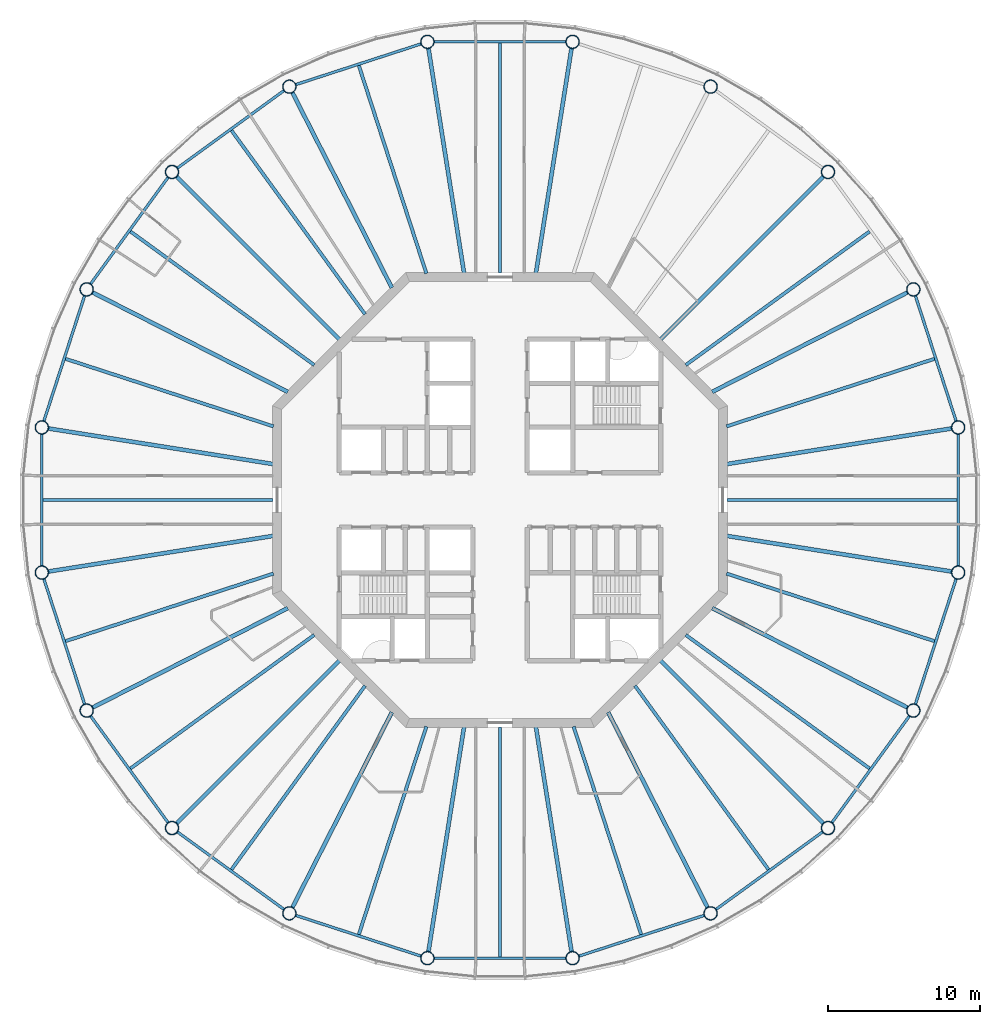
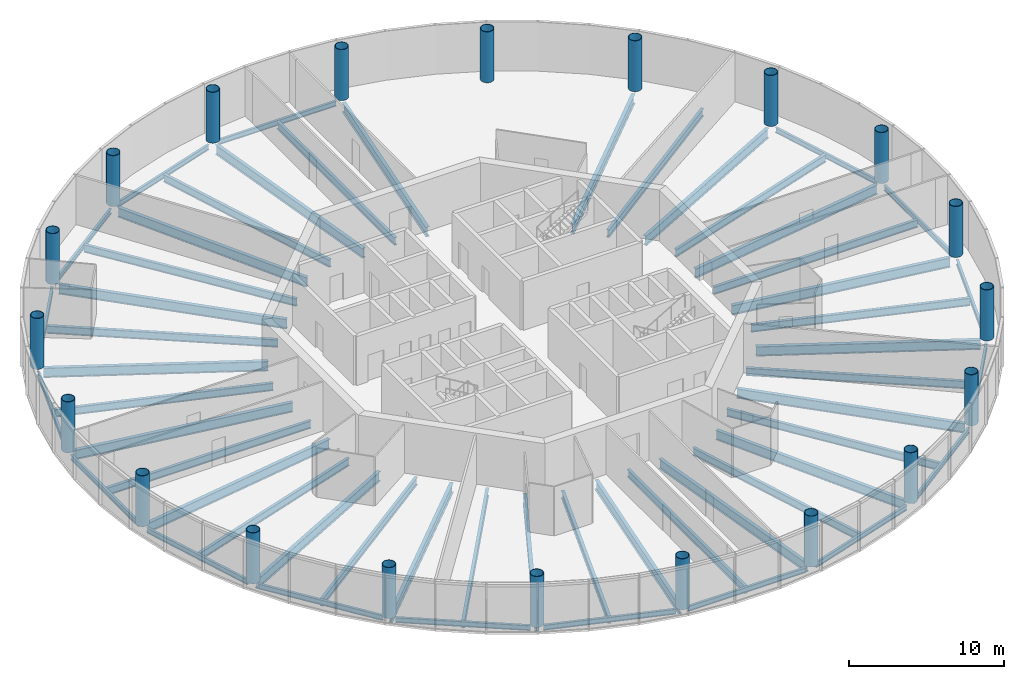
# One storey, part 1 of 13: 54 beams, 20 columns.
"""IFC4 building model written with IfcOpenShell, lengths in metres."""

import ifcopenshell
import ifcopenshell.guid

model = None  # the IFC model being written
_history = None  # IfcOwnerHistory: only IFC2X3 demands one
_inside = {}  # id of a spatial element -> (the spatial element, [elements in it])
_under = {}  # id of a project, library or spatial element -> (it, [spatial elements below it])
_declared = {}  # id of a project -> (the project, [libraries it declares])
_typed = {}  # id of a type object -> (the type object, [elements of that type])
_made_of = {}  # id of a material, layer set ... -> (it, [elements and type objects made of it])


def new_model(schema):
    """Start an empty IFC model of exactly this schema.

    Asked for "IFC4X3", IfcOpenShell would pick the latest addendum, in which some entities
    have other attributes; the version numbers below select the first issue.
    IFC2X3 requires an IfcOwnerHistory on every rooted entity: one is made here for all.
    """
    global model, _history
    if schema == "IFC4X3":
        model = ifcopenshell.file(schema_version=(4, 3, 0, 0))
    else:
        model = ifcopenshell.file(schema=schema)
    _inside.clear()
    _under.clear()
    _declared.clear()
    _typed.clear()
    _made_of.clear()
    _history = None
    if model.schema == "IFC2X3":
        org = make("IfcOrganization", Name="unknown")
        user = make(
            "IfcPersonAndOrganization",
            ThePerson=make("IfcPerson", FamilyName="unknown"),
            TheOrganization=org,
        )
        app = make(
            "IfcApplication",
            ApplicationDeveloper=org,
            Version="unknown",
            ApplicationFullName="unknown",
            ApplicationIdentifier="unknown",
        )
        _history = make(
            "IfcOwnerHistory",
            OwningUser=user,
            OwningApplication=app,
            ChangeAction="ADDED",
            CreationDate=0,
        )
    return model


def make(cls, **values):
    """One entity of the class cls with the attributes given. An attribute that is None is left unset."""
    return model.create_entity(
        cls, **{name: value for name, value in values.items() if value is not None}
    )


def rooted(cls, **values):
    """An entity with a GlobalId (a new one), such as an element, a storey or a relation."""
    return make(cls, GlobalId=ifcopenshell.guid.new(), OwnerHistory=_history, **values)


def si_unit(unit_type, name, prefix=None):
    """IfcSIUnit, for example si_unit("LENGTHUNIT", "METRE", prefix="MILLI")."""
    return make("IfcSIUnit", UnitType=unit_type, Prefix=prefix, Name=name)


def assignment(units):
    """IfcUnitAssignment: the units of a project."""
    return None if units is None else make("IfcUnitAssignment", Units=units)


def point(xyz):
    """IfcCartesianPoint."""
    return None if xyz is None else make("IfcCartesianPoint", Coordinates=xyz)


def direction(xyz):
    """IfcDirection."""
    return None if xyz is None else make("IfcDirection", DirectionRatios=xyz)


def frame(location, z_axis=None, x_axis=None):
    """IfcAxis2Placement3D, a coordinate frame: its origin and axes. An axis left out is left unset."""
    return make(
        "IfcAxis2Placement3D",
        Location=point(location),
        Axis=direction(z_axis),
        RefDirection=direction(x_axis),
    )


def frame_2d(location, x_axis=None):
    """IfcAxis2Placement2D, a coordinate frame in the plane: its origin and x axis."""
    return make(
        "IfcAxis2Placement2D", Location=point(location), RefDirection=direction(x_axis)
    )


def origin():
    """The frame at (0, 0, 0) with its axes left unset."""
    return frame((0.0, 0.0, 0.0))


def origin_2d():
    """The frame at (0, 0) in the plane with its x axis left unset."""
    return frame_2d((0.0, 0.0))


def place(relative_to, where):
    """IfcLocalPlacement: puts the frame where relative to a parent placement (None: the world)."""
    return make(
        "IfcLocalPlacement", PlacementRelTo=relative_to, RelativePlacement=where
    )


def context(
    kind, dimensions, precision=None, world=None, true_north=None, identifier=None
):
    """IfcGeometricRepresentationContext, for example the 3D "Model" context."""
    return make(
        "IfcGeometricRepresentationContext",
        ContextIdentifier=identifier,
        ContextType=kind,
        CoordinateSpaceDimension=dimensions,
        Precision=precision,
        WorldCoordinateSystem=world,
        TrueNorth=true_north,
    )


def subcontext(parent, identifier, kind, view, scale=None):
    """IfcGeometricRepresentationSubContext, for example "Body" below "Model"."""
    return make(
        "IfcGeometricRepresentationSubContext",
        ContextIdentifier=identifier,
        ContextType=kind,
        ParentContext=parent,
        TargetScale=scale,
        TargetView=view,
    )


def project(units=None, contexts=None):
    """IfcProject with its units and contexts."""
    return rooted(
        "IfcProject",
        Name="project",
        RepresentationContexts=contexts,
        UnitsInContext=assignment(units),
    )


def spatial(cls, under=None, at=None, **own):
    """A site, building, storey or space (cls), placed at a placement, below another one or the project."""
    s = rooted(cls, ObjectPlacement=at, **own)
    if under is not None:
        _under.setdefault(under.id(), (under, []))[1].append(s)
    return s


def profile(cls, at=None, kind="AREA", **sizes):
    """A parametric profile (cls). Its sizes go by their IFC names, for example OverallWidth=200.0."""
    return make(cls, ProfileType=kind, Position=at, **sizes)


def circle(**sizes):
    """IfcCircleProfileDef."""
    return profile("IfcCircleProfileDef", **sizes)


def hollow_circle(**sizes):
    """IfcCircleHollowProfileDef."""
    return profile("IfcCircleHollowProfileDef", **sizes)


def i_section(**sizes):
    """IfcIShapeProfileDef."""
    return profile("IfcIShapeProfileDef", **sizes)


def extrude(swept, where, along, depth):
    """IfcExtrudedAreaSolid: the profile swept, set in the frame where, extruded along a direction by depth."""
    return make(
        "IfcExtrudedAreaSolid",
        SweptArea=swept,
        Position=where,
        ExtrudedDirection=direction(along),
        Depth=depth,
    )


def shape(context_of_items, identifier, shape_type, items):
    """IfcShapeRepresentation: the items that make up one representation, for example the "Body"."""
    return make(
        "IfcShapeRepresentation",
        ContextOfItems=context_of_items,
        RepresentationIdentifier=identifier,
        RepresentationType=shape_type,
        Items=items,
    )


def material(Name=None, Category=None):
    """IfcMaterial."""
    return make("IfcMaterial", Name=Name, Category=Category)


def material_profile(
    of_material, cross_section, Name=None, Category=None, Priority=None
):
    """IfcMaterialProfile: a cross section and its material."""
    return make(
        "IfcMaterialProfile",
        Name=Name,
        Material=of_material,
        Profile=cross_section,
        Priority=Priority,
        Category=Category,
    )


def profile_set(profiles, Name=None, composite=None):
    """IfcMaterialProfileSet."""
    return make(
        "IfcMaterialProfileSet",
        Name=Name,
        MaterialProfiles=profiles,
        CompositeProfile=composite,
    )


def made_of(thing, what):
    """Note that an element or type object is made of a material, layer set ...; save() writes the relation."""
    if what is not None:
        _made_of.setdefault(what.id(), (what, []))[1].append(thing)
    return thing


def type_object(cls, material=None, **own):
    """A type object (cls), such as IfcWallType, which elements share."""
    return made_of(rooted(cls, **own), material)


def element(
    cls,
    number,
    at=None,
    inside=None,
    cuts=None,
    type_object=None,
    material=None,
    context=None,
    identifier="Body",
    shape_type=None,
    held_by="IfcProductDefinitionShape",
    body=None,
    shapes=None,
    **own,
):
    """One element of the class cls, such as IfcWall. Its Tag is "e" and its number.

    at: its placement. inside: the storey or other place that contains it. cuts: it is an
    opening in that element (IfcRelVoidsElement). A single representation is given by context,
    identifier, shape_type and body (its items); several are given by shapes. held_by: the class
    of the entity that holds the representations. save() writes the other relations.
    """
    e = rooted(cls, Tag="e%d" % number, ObjectPlacement=at, **own)
    if body is not None:
        shapes = [shape(context, identifier, shape_type, body)]
    if shapes is not None:
        e.Representation = make(held_by, Representations=shapes)
    if inside is not None:
        _inside.setdefault(inside.id(), (inside, []))[1].append(e)
    if cuts is not None:
        rooted(
            "IfcRelVoidsElement", RelatingBuildingElement=cuts, RelatedOpeningElement=e
        )
    if type_object is not None:
        _typed.setdefault(type_object.id(), (type_object, []))[1].append(e)
    return made_of(e, material)


def aggregate(whole, parts):
    """IfcRelAggregates: a whole, such as a stair, and the parts it consists of."""
    return rooted("IfcRelAggregates", RelatingObject=whole, RelatedObjects=parts)


def save(model, path):
    """Write the relations noted so far, then the file.

    IfcRelAggregates (storeys below a building ...), IfcRelContainedInSpatialStructure (elements
    in a storey), IfcRelDefinesByType, IfcRelAssociatesMaterial and IfcRelDeclares: one each for
    every whole, place, type object, material and project.
    """
    for whole, parts in _under.values():
        aggregate(whole, parts)
    for where, things in _inside.values():
        rooted(
            "IfcRelContainedInSpatialStructure",
            RelatedElements=things,
            RelatingStructure=where,
        )
    for kind, things in _typed.values():
        rooted("IfcRelDefinesByType", RelatedObjects=things, RelatingType=kind)
    for what, things in _made_of.values():
        rooted("IfcRelAssociatesMaterial", RelatedObjects=things, RelatingMaterial=what)
    for by, libraries in _declared.values():
        rooted("IfcRelDeclares", RelatingContext=by, RelatedDefinitions=libraries)
    model.write(path)


model = new_model("IFC4")

# Units and contexts
model_context = context("Model", 3, precision=1e-05, world=origin(), true_north=direction((0.0, 1.0)))
body_context = subcontext(model_context, "Body", "Model", "MODEL_VIEW")
ifc_project = project(units=[si_unit("LENGTHUNIT", "METRE"), si_unit("AREAUNIT", "SQUARE_METRE"), si_unit("VOLUMEUNIT", "CUBIC_METRE"), si_unit("PLANEANGLEUNIT", "RADIAN"), si_unit("MASSUNIT", "GRAM", prefix="KILO")], contexts=[model_context])

# Site, building, storey
site_placement = place(None, origin())
site = spatial("IfcSite", under=ifc_project, at=site_placement, CompositionType="ELEMENT")
building_placement = place(site_placement, origin())
building = spatial("IfcBuilding", under=site, at=building_placement, Name="Entoto Ring Tower", CompositionType="ELEMENT")
storey_placement = place(building_placement, frame((0.0, 0.0, 360.0)))
storey = spatial("IfcBuildingStorey", under=building, at=storey_placement, Name="L83", CompositionType="ELEMENT", Elevation=360.0)

# Columns
ifc_material_1 = material(Name="Steel S355", Category="steel")
ifc_material_profile_1 = material_profile(ifc_material_1, hollow_circle(Radius=0.449951171875, WallThickness=0.0400390625, at=origin_2d()), Name="CHS 900 x 40")
ifc_material_2 = material(Name="Concrete C60/75", Category="concrete")
ifc_material_profile_2 = material_profile(ifc_material_2, circle(Radius=0.409912109375, at=origin_2d()), Name="Concrete C60/75 infill")
ifc_profile_set_1 = profile_set([ifc_material_profile_1, ifc_material_profile_2], Name="Steel S355")
column_type = type_object("IfcColumnType", Name="Ring column 900 x 40 concrete-filled tube", PredefinedType="COLUMN", material=ifc_profile_set_1)
for number, where, z_axis, x_axis, name in (
    (1, (120.22314453125, 84.786865234375, 0.0), (0.0, 0.0, 1.0), (1.0, 0.0, 0.0), "RC6 R01"),
    (2, (117.264892578125, 93.89208984375, 0.0), (0.0, 0.0, 1.0), (1.0, 0.0, 0.0), "RC6 R02"),
    (3, (111.637451171875, 101.637451171875, 0.0), (0.0, 0.0, 1.0), (1.0, 0.0, 0.0), "RC6 R03"),
    (4, (103.89208984375, 107.264892578125, 0.0), (0.0, 0.0, 1.0), (1.0, 0.0, 0.0), "RC6 R04"),
    (5, (94.786865234375, 110.22314453125, 0.0), (0.0, 0.0, 1.0), (1.0, 0.0, 0.0), "RC6 R05"),
    (6, (85.213134765625, 110.22314453125, 0.0), (0.0, 0.0, 1.0), (1.0, 0.0, 0.0), "RC6 R06"),
    (7, (76.10791015625, 107.264892578125, 0.0), (0.0, 0.0, 1.0), (1.0, 0.0, 0.0), "RC6 R07"),
    (8, (68.362548828125, 101.637451171875, 0.0), (0.0, 0.0, 1.0), (1.0, 0.0, 0.0), "RC6 R08"),
    (9, (62.735107421875, 93.89208984375, 0.0), (0.0, 0.0, 1.0), (1.0, 0.0, 0.0), "RC6 R09"),
    (10, (59.77685546875, 84.786865234375, 0.0), (0.0, 0.0, 1.0), (1.0, 0.0, 0.0), "RC6 R10"),
    (11, (59.77685546875, 75.213134765625, 0.0), (0.0, 0.0, 1.0), (1.0, 0.0, 0.0), "RC6 R11"),
    (12, (62.735107421875, 66.10791015625, 0.0), (0.0, 0.0, 1.0), (1.0, 0.0, 0.0), "RC6 R12"),
    (13, (68.362548828125, 58.362548828125, 0.0), (0.0, 0.0, 1.0), (1.0, 0.0, 0.0), "RC6 R13"),
    (14, (76.10791015625, 52.735107421875, 0.0), (0.0, 0.0, 1.0), (1.0, 0.0, 0.0), "RC6 R14"),
    (15, (85.213134765625, 49.77685546875, 0.0), (0.0, 0.0, 1.0), (1.0, 0.0, 0.0), "RC6 R15"),
    (16, (94.786865234375, 49.77685546875, 0.0), (0.0, 0.0, 1.0), (1.0, 0.0, 0.0), "RC6 R16"),
    (17, (103.89208984375, 52.735107421875, 0.0), (0.0, 0.0, 1.0), (1.0, 0.0, 0.0), "RC6 R17"),
    (18, (111.637451171875, 58.362548828125, 0.0), (0.0, 0.0, 1.0), (1.0, 0.0, 0.0), "RC6 R18"),
    (19, (117.264892578125, 66.10791015625, 0.0), (0.0, 0.0, 1.0), (1.0, 0.0, 0.0), "RC6 R19"),
    (20, (120.22314453125, 75.213134765625, 0.0), (0.0, 0.0, 1.0), (1.0, 0.0, 0.0), "RC6 R20"),
):
    element("IfcColumn", number, at=place(storey_placement, frame(where, z_axis=z_axis, x_axis=x_axis)), inside=storey, type_object=column_type, Name=name, PredefinedType="COLUMN", context=body_context, shape_type="SweptSolid", body=[
        extrude(hollow_circle(Radius=0.449951171875, WallThickness=0.0400390625, at=origin_2d()), origin(), (0.0, 0.0, 1.0), 4.0),
    ])

# Beams
ifc_material_3 = material(Name="Steel S355", Category="steel")
ifc_material_profile_3 = material_profile(ifc_material_3, i_section(OverallWidth=0.179931640625, OverallDepth=0.39990234375, WebThickness=0.008544921875, FlangeThickness=0.013427734375, FilletRadius=0.02099609375, at=origin_2d()), Name="IPE 400")
ifc_profile_set_2 = profile_set([ifc_material_profile_3], Name="Steel S355")
beam_type_1 = type_object("IfcBeamType", Name="Edge beam IPE 400", PredefinedType="SPANDREL", material=ifc_profile_set_2)
beam_1_placement = place(storey_placement, frame((120.09326171875, 85.187255859375, -0.35009765625), z_axis=(-0.309030438368, 0.951052147972, 0.0), x_axis=(-0.951052147972, -0.309030438368, 0.0)))
element("IfcBeam", 21, at=beam_1_placement, inside=storey, type_object=beam_type_1, Name="Edge beam L83 01", PredefinedType="SPANDREL", context=body_context, shape_type="SweptSolid", body=[
    extrude(i_section(OverallWidth=0.179931640625, OverallDepth=0.39990234375, WebThickness=0.008544921875, FlangeThickness=0.013427734375, FilletRadius=0.02099609375, at=origin_2d()), origin(), (0.0, 0.0, 1.0), 8.732177734375),
])
beam_2_placement = place(storey_placement, frame((94.365966796875, 110.22314453125, -0.35009765625), z_axis=(-1.0, 0.0, 0.0), x_axis=(0.0, -1.0, 0.0)))
element("IfcBeam", 22, at=beam_2_placement, inside=storey, type_object=beam_type_1, Name="Edge beam L83 05", PredefinedType="SPANDREL", context=body_context, shape_type="SweptSolid", body=[
    extrude(i_section(OverallWidth=0.179931640625, OverallDepth=0.39990234375, WebThickness=0.008544921875, FlangeThickness=0.013427734375, FilletRadius=0.02099609375, at=origin_2d()), origin(), (0.0, 0.0, 1.0), 8.73193359375),
])
beam_3_placement = place(storey_placement, frame((84.812744140625, 110.09326171875, -0.35009765625), z_axis=(-0.951052147972, -0.309030438368, 0.0), x_axis=(0.309030438368, -0.951052147972, 0.0)))
element("IfcBeam", 23, at=beam_3_placement, inside=storey, type_object=beam_type_1, Name="Edge beam L83 06", PredefinedType="SPANDREL", context=body_context, shape_type="SweptSolid", body=[
    extrude(i_section(OverallWidth=0.179931640625, OverallDepth=0.39990234375, WebThickness=0.008544921875, FlangeThickness=0.013427734375, FilletRadius=0.02099609375, at=origin_2d()), origin(), (0.0, 0.0, 1.0), 8.732177734375),
])
for number, where, z_axis, x_axis, name in (
    (24, (75.767333984375, 107.017333984375, -0.35009765625), (-0.80901045354, -0.587794254874, 0.0), (0.587794254874, -0.80901045354, 0.0), "Edge beam L83 07"),
    (25, (68.115234375, 101.296875, -0.35009765625), (-0.587794254874, -0.80901045354, 0.0), (0.80901045354, -0.587794254874, 0.0), "Edge beam L83 08"),
):
    element("IfcBeam", number, at=place(storey_placement, frame(where, z_axis=z_axis, x_axis=x_axis)), inside=storey, type_object=beam_type_1, Name=name, PredefinedType="SPANDREL", context=body_context, shape_type="SweptSolid", body=[
        extrude(i_section(OverallWidth=0.179931640625, OverallDepth=0.39990234375, WebThickness=0.008544921875, FlangeThickness=0.013427734375, FilletRadius=0.02099609375, at=origin_2d()), origin(), (0.0, 0.0, 1.0), 8.73193359375),
    ])
beam_4_placement = place(storey_placement, frame((62.605224609375, 93.491943359375, -0.35009765625), z_axis=(-0.309030438368, -0.951052147972, 0.0), x_axis=(0.951052147972, -0.309030438368, 0.0)))
element("IfcBeam", 26, at=beam_4_placement, inside=storey, type_object=beam_type_1, Name="Edge beam L83 09", PredefinedType="SPANDREL", context=body_context, shape_type="SweptSolid", body=[
    extrude(i_section(OverallWidth=0.179931640625, OverallDepth=0.39990234375, WebThickness=0.008544921875, FlangeThickness=0.013427734375, FilletRadius=0.02099609375, at=origin_2d()), origin(), (0.0, 0.0, 1.0), 8.732177734375),
])
beam_5_placement = place(storey_placement, frame((59.77685546875, 84.365966796875, -0.35009765625), z_axis=(0.0, -1.0, 0.0), x_axis=(1.0, 0.0, 0.0)))
element("IfcBeam", 27, at=beam_5_placement, inside=storey, type_object=beam_type_1, Name="Edge beam L83 10", PredefinedType="SPANDREL", context=body_context, shape_type="SweptSolid", body=[
    extrude(i_section(OverallWidth=0.179931640625, OverallDepth=0.39990234375, WebThickness=0.008544921875, FlangeThickness=0.013427734375, FilletRadius=0.02099609375, at=origin_2d()), origin(), (0.0, 0.0, 1.0), 8.73193359375),
])
beam_6_placement = place(storey_placement, frame((59.90673828125, 74.812744140625, -0.35009765625), z_axis=(0.309030438368, -0.951052147972, 0.0), x_axis=(0.951052147972, 0.309030438368, 0.0)))
element("IfcBeam", 28, at=beam_6_placement, inside=storey, type_object=beam_type_1, Name="Edge beam L83 11", PredefinedType="SPANDREL", context=body_context, shape_type="SweptSolid", body=[
    extrude(i_section(OverallWidth=0.179931640625, OverallDepth=0.39990234375, WebThickness=0.008544921875, FlangeThickness=0.013427734375, FilletRadius=0.02099609375, at=origin_2d()), origin(), (0.0, 0.0, 1.0), 8.732177734375),
])
for number, where, z_axis, x_axis, name in (
    (29, (62.982666015625, 65.767333984375, -0.35009765625), (0.587794254874, -0.80901045354, 0.0), (0.80901045354, 0.587794254874, 0.0), "Edge beam L83 12"),
    (30, (68.703125, 58.115234375, -0.35009765625), (0.80901045354, -0.587794254874, 0.0), (0.587794254874, 0.80901045354, 0.0), "Edge beam L83 13"),
):
    element("IfcBeam", number, at=place(storey_placement, frame(where, z_axis=z_axis, x_axis=x_axis)), inside=storey, type_object=beam_type_1, Name=name, PredefinedType="SPANDREL", context=body_context, shape_type="SweptSolid", body=[
        extrude(i_section(OverallWidth=0.179931640625, OverallDepth=0.39990234375, WebThickness=0.008544921875, FlangeThickness=0.013427734375, FilletRadius=0.02099609375, at=origin_2d()), origin(), (0.0, 0.0, 1.0), 8.73193359375),
    ])
beam_7_placement = place(storey_placement, frame((76.508056640625, 52.605224609375, -0.35009765625), z_axis=(0.951052147972, -0.309030438368, 0.0), x_axis=(0.309030438368, 0.951052147972, 0.0)))
element("IfcBeam", 31, at=beam_7_placement, inside=storey, type_object=beam_type_1, Name="Edge beam L83 14", PredefinedType="SPANDREL", context=body_context, shape_type="SweptSolid", body=[
    extrude(i_section(OverallWidth=0.179931640625, OverallDepth=0.39990234375, WebThickness=0.008544921875, FlangeThickness=0.013427734375, FilletRadius=0.02099609375, at=origin_2d()), origin(), (0.0, 0.0, 1.0), 8.732177734375),
])
beam_8_placement = place(storey_placement, frame((85.634033203125, 49.77685546875, -0.35009765625), z_axis=(1.0, 0.0, 0.0), x_axis=(0.0, 1.0, 0.0)))
element("IfcBeam", 32, at=beam_8_placement, inside=storey, type_object=beam_type_1, Name="Edge beam L83 15", PredefinedType="SPANDREL", context=body_context, shape_type="SweptSolid", body=[
    extrude(i_section(OverallWidth=0.179931640625, OverallDepth=0.39990234375, WebThickness=0.008544921875, FlangeThickness=0.013427734375, FilletRadius=0.02099609375, at=origin_2d()), origin(), (0.0, 0.0, 1.0), 8.73193359375),
])
beam_9_placement = place(storey_placement, frame((95.187255859375, 49.90673828125, -0.35009765625), z_axis=(0.951052147972, 0.309030438368, 0.0), x_axis=(-0.309030438368, 0.951052147972, 0.0)))
element("IfcBeam", 33, at=beam_9_placement, inside=storey, type_object=beam_type_1, Name="Edge beam L83 16", PredefinedType="SPANDREL", context=body_context, shape_type="SweptSolid", body=[
    extrude(i_section(OverallWidth=0.179931640625, OverallDepth=0.39990234375, WebThickness=0.008544921875, FlangeThickness=0.013427734375, FilletRadius=0.02099609375, at=origin_2d()), origin(), (0.0, 0.0, 1.0), 8.732177734375),
])
for number, where, z_axis, x_axis, name in (
    (34, (104.232666015625, 52.982666015625, -0.35009765625), (0.80901045354, 0.587794254874, 0.0), (-0.587794254874, 0.80901045354, 0.0), "Edge beam L83 17"),
    (35, (111.884765625, 58.703125, -0.35009765625), (0.587794254874, 0.80901045354, 0.0), (-0.80901045354, 0.587794254874, 0.0), "Edge beam L83 18"),
):
    element("IfcBeam", number, at=place(storey_placement, frame(where, z_axis=z_axis, x_axis=x_axis)), inside=storey, type_object=beam_type_1, Name=name, PredefinedType="SPANDREL", context=body_context, shape_type="SweptSolid", body=[
        extrude(i_section(OverallWidth=0.179931640625, OverallDepth=0.39990234375, WebThickness=0.008544921875, FlangeThickness=0.013427734375, FilletRadius=0.02099609375, at=origin_2d()), origin(), (0.0, 0.0, 1.0), 8.73193359375),
    ])
beam_10_placement = place(storey_placement, frame((117.394775390625, 66.508056640625, -0.35009765625), z_axis=(0.309030438368, 0.951052147972, 0.0), x_axis=(-0.951052147972, 0.309030438368, 0.0)))
element("IfcBeam", 36, at=beam_10_placement, inside=storey, type_object=beam_type_1, Name="Edge beam L83 19", PredefinedType="SPANDREL", context=body_context, shape_type="SweptSolid", body=[
    extrude(i_section(OverallWidth=0.179931640625, OverallDepth=0.39990234375, WebThickness=0.008544921875, FlangeThickness=0.013427734375, FilletRadius=0.02099609375, at=origin_2d()), origin(), (0.0, 0.0, 1.0), 8.732177734375),
])
beam_11_placement = place(storey_placement, frame((120.22314453125, 75.634033203125, -0.35009765625), z_axis=(0.0, 1.0, 0.0), x_axis=(-1.0, 0.0, 0.0)))
element("IfcBeam", 37, at=beam_11_placement, inside=storey, type_object=beam_type_1, Name="Edge beam L83 20", PredefinedType="SPANDREL", context=body_context, shape_type="SweptSolid", body=[
    extrude(i_section(OverallWidth=0.179931640625, OverallDepth=0.39990234375, WebThickness=0.008544921875, FlangeThickness=0.013427734375, FilletRadius=0.02099609375, at=origin_2d()), origin(), (0.0, 0.0, 1.0), 8.73193359375),
])
ifc_material_4 = material(Name="Steel S355", Category="steel")
ifc_material_profile_4 = material_profile(ifc_material_4, i_section(OverallWidth=0.262939453125, OverallDepth=0.7529296875, WebThickness=0.011474609375, FlangeThickness=0.01708984375, FilletRadius=0.01708984375, at=origin_2d()), Name="IPE 750 x 137")
ifc_profile_set_3 = profile_set([ifc_material_profile_4], Name="Steel S355")
beam_type_2 = type_object("IfcBeamType", Name="Primary floor beam IPE 750 x 137", PredefinedType="BEAM", material=ifc_profile_set_3)
beam_12_placement = place(storey_placement, frame((104.959716796875, 82.369384765625, -0.526611328125), z_axis=(0.987688638122, 0.156432586517, 0.0), x_axis=(-0.156432586517, 0.987688638122, 0.0)))
element("IfcBeam", 38, at=beam_12_placement, inside=storey, type_object=beam_type_2, Name="Primary L83 R01", PredefinedType="BEAM", context=body_context, shape_type="SweptSolid", body=[
    extrude(i_section(OverallWidth=0.262939453125, OverallDepth=0.7529296875, WebThickness=0.011474609375, FlangeThickness=0.01708984375, FilletRadius=0.01708984375, at=origin_2d()), origin(), (0.0, 0.0, 1.0), 15.04345703125),
])
beam_13_placement = place(storey_placement, frame((103.9970703125, 87.1318359375, -0.526611328125), z_axis=(0.89100578373, 0.453991952968, 0.0), x_axis=(-0.453991952968, 0.89100578373, 0.0)))
element("IfcBeam", 39, at=beam_13_placement, inside=storey, type_object=beam_type_2, Name="Primary L83 R02", PredefinedType="BEAM", context=body_context, shape_type="SweptSolid", body=[
    extrude(i_section(OverallWidth=0.262939453125, OverallDepth=0.7529296875, WebThickness=0.011474609375, FlangeThickness=0.01708984375, FilletRadius=0.01708984375, at=origin_2d()), origin(), (0.0, 0.0, 1.0), 14.48046875),
])
beam_14_placement = place(storey_placement, frame((100.592529296875, 90.592529296875, -0.526611328125), z_axis=(0.707106781187, 0.707106781187, 0.0), x_axis=(-0.707106781187, 0.707106781187, 0.0)))
element("IfcBeam", 40, at=beam_14_placement, inside=storey, type_object=beam_type_2, Name="Primary L83 R03", PredefinedType="BEAM", context=body_context, shape_type="SweptSolid", body=[
    extrude(i_section(OverallWidth=0.262939453125, OverallDepth=0.7529296875, WebThickness=0.011474609375, FlangeThickness=0.01708984375, FilletRadius=0.01708984375, at=origin_2d()), origin(), (0.0, 0.0, 1.0), 15.209716796875),
])
for number, where, z_axis, x_axis, name in (
    (41, (92.369384765625, 94.959716796875, -0.526611328125), (0.156432586517, 0.987688638122, 0.0), (-0.987688638122, 0.156432586517, 0.0), "Primary L83 R05"),
    (42, (87.630615234375, 94.959716796875, -0.526611328125), (-0.156432586517, 0.987688638122, 0.0), (-0.987688638122, -0.156432586517, 0.0), "Primary L83 R06"),
):
    element("IfcBeam", number, at=place(storey_placement, frame(where, z_axis=z_axis, x_axis=x_axis)), inside=storey, type_object=beam_type_2, Name=name, PredefinedType="BEAM", context=body_context, shape_type="SweptSolid", body=[
        extrude(i_section(OverallWidth=0.262939453125, OverallDepth=0.7529296875, WebThickness=0.011474609375, FlangeThickness=0.01708984375, FilletRadius=0.01708984375, at=origin_2d()), origin(), (0.0, 0.0, 1.0), 15.04345703125),
    ])
beam_15_placement = place(storey_placement, frame((82.8681640625, 93.9970703125, -0.526611328125), z_axis=(-0.453991952968, 0.89100578373, 0.0), x_axis=(-0.89100578373, -0.453991952968, 0.0)))
element("IfcBeam", 43, at=beam_15_placement, inside=storey, type_object=beam_type_2, Name="Primary L83 R07", PredefinedType="BEAM", context=body_context, shape_type="SweptSolid", body=[
    extrude(i_section(OverallWidth=0.262939453125, OverallDepth=0.7529296875, WebThickness=0.011474609375, FlangeThickness=0.01708984375, FilletRadius=0.01708984375, at=origin_2d()), origin(), (0.0, 0.0, 1.0), 14.48046875),
])
beam_16_placement = place(storey_placement, frame((79.407470703125, 90.592529296875, -0.526611328125), z_axis=(-0.707106781187, 0.707106781187, 0.0), x_axis=(-0.707106781187, -0.707106781187, 0.0)))
element("IfcBeam", 44, at=beam_16_placement, inside=storey, type_object=beam_type_2, Name="Primary L83 R08", PredefinedType="BEAM", context=body_context, shape_type="SweptSolid", body=[
    extrude(i_section(OverallWidth=0.262939453125, OverallDepth=0.7529296875, WebThickness=0.011474609375, FlangeThickness=0.01708984375, FilletRadius=0.01708984375, at=origin_2d()), origin(), (0.0, 0.0, 1.0), 15.209716796875),
])
beam_17_placement = place(storey_placement, frame((76.0029296875, 87.1318359375, -0.526611328125), z_axis=(-0.89100578373, 0.453991952968, 0.0), x_axis=(-0.453991952968, -0.89100578373, 0.0)))
element("IfcBeam", 45, at=beam_17_placement, inside=storey, type_object=beam_type_2, Name="Primary L83 R09", PredefinedType="BEAM", context=body_context, shape_type="SweptSolid", body=[
    extrude(i_section(OverallWidth=0.262939453125, OverallDepth=0.7529296875, WebThickness=0.011474609375, FlangeThickness=0.01708984375, FilletRadius=0.01708984375, at=origin_2d()), origin(), (0.0, 0.0, 1.0), 14.48046875),
])
for number, where, z_axis, x_axis, name in (
    (46, (75.040283203125, 82.369384765625, -0.526611328125), (-0.987688638122, 0.156432586517, 0.0), (-0.156432586517, -0.987688638122, 0.0), "Primary L83 R10"),
    (47, (75.040283203125, 77.630615234375, -0.526611328125), (-0.987688638122, -0.156432586517, 0.0), (0.156432586517, -0.987688638122, 0.0), "Primary L83 R11"),
):
    element("IfcBeam", number, at=place(storey_placement, frame(where, z_axis=z_axis, x_axis=x_axis)), inside=storey, type_object=beam_type_2, Name=name, PredefinedType="BEAM", context=body_context, shape_type="SweptSolid", body=[
        extrude(i_section(OverallWidth=0.262939453125, OverallDepth=0.7529296875, WebThickness=0.011474609375, FlangeThickness=0.01708984375, FilletRadius=0.01708984375, at=origin_2d()), origin(), (0.0, 0.0, 1.0), 15.04345703125),
    ])
beam_18_placement = place(storey_placement, frame((76.0029296875, 72.8681640625, -0.526611328125), z_axis=(-0.89100578373, -0.453991952968, 0.0), x_axis=(0.453991952968, -0.89100578373, 0.0)))
element("IfcBeam", 48, at=beam_18_placement, inside=storey, type_object=beam_type_2, Name="Primary L83 R12", PredefinedType="BEAM", context=body_context, shape_type="SweptSolid", body=[
    extrude(i_section(OverallWidth=0.262939453125, OverallDepth=0.7529296875, WebThickness=0.011474609375, FlangeThickness=0.01708984375, FilletRadius=0.01708984375, at=origin_2d()), origin(), (0.0, 0.0, 1.0), 14.48046875),
])
beam_19_placement = place(storey_placement, frame((79.407470703125, 69.407470703125, -0.526611328125), z_axis=(-0.707106781187, -0.707106781187, 0.0), x_axis=(0.707106781187, -0.707106781187, 0.0)))
element("IfcBeam", 49, at=beam_19_placement, inside=storey, type_object=beam_type_2, Name="Primary L83 R13", PredefinedType="BEAM", context=body_context, shape_type="SweptSolid", body=[
    extrude(i_section(OverallWidth=0.262939453125, OverallDepth=0.7529296875, WebThickness=0.011474609375, FlangeThickness=0.01708984375, FilletRadius=0.01708984375, at=origin_2d()), origin(), (0.0, 0.0, 1.0), 15.209716796875),
])
beam_20_placement = place(storey_placement, frame((82.8681640625, 66.0029296875, -0.526611328125), z_axis=(-0.453991952968, -0.89100578373, 0.0), x_axis=(0.89100578373, -0.453991952968, 0.0)))
element("IfcBeam", 50, at=beam_20_placement, inside=storey, type_object=beam_type_2, Name="Primary L83 R14", PredefinedType="BEAM", context=body_context, shape_type="SweptSolid", body=[
    extrude(i_section(OverallWidth=0.262939453125, OverallDepth=0.7529296875, WebThickness=0.011474609375, FlangeThickness=0.01708984375, FilletRadius=0.01708984375, at=origin_2d()), origin(), (0.0, 0.0, 1.0), 14.48046875),
])
for number, where, z_axis, x_axis, name in (
    (51, (87.630615234375, 65.040283203125, -0.526611328125), (-0.156432586517, -0.987688638122, 0.0), (0.987688638122, -0.156432586517, 0.0), "Primary L83 R15"),
    (52, (92.369384765625, 65.040283203125, -0.526611328125), (0.156432586517, -0.987688638122, 0.0), (0.987688638122, 0.156432586517, 0.0), "Primary L83 R16"),
):
    element("IfcBeam", number, at=place(storey_placement, frame(where, z_axis=z_axis, x_axis=x_axis)), inside=storey, type_object=beam_type_2, Name=name, PredefinedType="BEAM", context=body_context, shape_type="SweptSolid", body=[
        extrude(i_section(OverallWidth=0.262939453125, OverallDepth=0.7529296875, WebThickness=0.011474609375, FlangeThickness=0.01708984375, FilletRadius=0.01708984375, at=origin_2d()), origin(), (0.0, 0.0, 1.0), 15.04345703125),
    ])
beam_21_placement = place(storey_placement, frame((97.1318359375, 66.0029296875, -0.526611328125), z_axis=(0.453991952968, -0.89100578373, 0.0), x_axis=(0.89100578373, 0.453991952968, 0.0)))
element("IfcBeam", 53, at=beam_21_placement, inside=storey, type_object=beam_type_2, Name="Primary L83 R17", PredefinedType="BEAM", context=body_context, shape_type="SweptSolid", body=[
    extrude(i_section(OverallWidth=0.262939453125, OverallDepth=0.7529296875, WebThickness=0.011474609375, FlangeThickness=0.01708984375, FilletRadius=0.01708984375, at=origin_2d()), origin(), (0.0, 0.0, 1.0), 14.48046875),
])
beam_22_placement = place(storey_placement, frame((100.592529296875, 69.407470703125, -0.526611328125), z_axis=(0.707106781187, -0.707106781187, 0.0), x_axis=(0.707106781187, 0.707106781187, 0.0)))
element("IfcBeam", 54, at=beam_22_placement, inside=storey, type_object=beam_type_2, Name="Primary L83 R18", PredefinedType="BEAM", context=body_context, shape_type="SweptSolid", body=[
    extrude(i_section(OverallWidth=0.262939453125, OverallDepth=0.7529296875, WebThickness=0.011474609375, FlangeThickness=0.01708984375, FilletRadius=0.01708984375, at=origin_2d()), origin(), (0.0, 0.0, 1.0), 15.209716796875),
])
beam_23_placement = place(storey_placement, frame((103.9970703125, 72.8681640625, -0.526611328125), z_axis=(0.89100578373, -0.453991952968, 0.0), x_axis=(0.453991952968, 0.89100578373, 0.0)))
element("IfcBeam", 55, at=beam_23_placement, inside=storey, type_object=beam_type_2, Name="Primary L83 R19", PredefinedType="BEAM", context=body_context, shape_type="SweptSolid", body=[
    extrude(i_section(OverallWidth=0.262939453125, OverallDepth=0.7529296875, WebThickness=0.011474609375, FlangeThickness=0.01708984375, FilletRadius=0.01708984375, at=origin_2d()), origin(), (0.0, 0.0, 1.0), 14.48046875),
])
beam_24_placement = place(storey_placement, frame((104.959716796875, 77.630615234375, -0.526611328125), z_axis=(0.987688638122, -0.156432586517, 0.0), x_axis=(0.156432586517, 0.987688638122, 0.0)))
element("IfcBeam", 56, at=beam_24_placement, inside=storey, type_object=beam_type_2, Name="Primary L83 R20", PredefinedType="BEAM", context=body_context, shape_type="SweptSolid", body=[
    extrude(i_section(OverallWidth=0.262939453125, OverallDepth=0.7529296875, WebThickness=0.011474609375, FlangeThickness=0.01708984375, FilletRadius=0.01708984375, at=origin_2d()), origin(), (0.0, 0.0, 1.0), 15.04345703125),
])
ifc_material_5 = material(Name="Steel S355", Category="steel")
ifc_material_profile_5 = material_profile(ifc_material_5, i_section(OverallWidth=0.219970703125, OverallDepth=0.60009765625, WebThickness=0.011962890625, FlangeThickness=0.01904296875, FilletRadius=0.02392578125, at=origin_2d()), Name="IPE 600")
ifc_profile_set_4 = profile_set([ifc_material_profile_5], Name="Steel S355")
beam_type_3 = type_object("IfcBeamType", Name="Secondary floor beam IPE 600", PredefinedType="JOIST", material=ifc_profile_set_4)
beam_25_placement = place(storey_placement, frame((104.947021484375, 84.856689453125, -0.449951171875), z_axis=(0.951057212949, 0.309014850288, 0.0), x_axis=(-0.309014850288, 0.951057212949, 0.0)))
element("IfcBeam", 57, at=beam_25_placement, inside=storey, type_object=beam_type_3, Name="Secondary beam L83 01", PredefinedType="JOIST", context=body_context, shape_type="SweptSolid", body=[
    extrude(i_section(OverallWidth=0.219970703125, OverallDepth=0.60009765625, WebThickness=0.011962890625, FlangeThickness=0.01904296875, FilletRadius=0.02392578125, at=origin_2d()), origin(), (0.0, 0.0, 1.0), 14.4169921875),
])
beam_26_placement = place(storey_placement, frame((102.25634765625, 88.90478515625, -0.449951171875), z_axis=(0.809019238239, 0.587782163866, 0.0), x_axis=(-0.587782163866, 0.809019238239, 0.0)))
element("IfcBeam", 58, at=beam_26_placement, inside=storey, type_object=beam_type_3, Name="Secondary beam L83 02", PredefinedType="JOIST", context=body_context, shape_type="SweptSolid", body=[
    extrude(i_section(OverallWidth=0.219970703125, OverallDepth=0.60009765625, WebThickness=0.011962890625, FlangeThickness=0.01904296875, FilletRadius=0.02392578125, at=origin_2d()), origin(), (0.0, 0.0, 1.0), 14.983642578125),
])
beam_27_placement = place(storey_placement, frame((90.0, 94.97998046875, -0.449951171875), z_axis=(0.0, 1.0, 0.0), x_axis=(-1.0, 0.0, 0.0)))
element("IfcBeam", 59, at=beam_27_placement, inside=storey, type_object=beam_type_3, Name="Secondary beam L83 05", PredefinedType="JOIST", context=body_context, shape_type="SweptSolid", body=[
    extrude(i_section(OverallWidth=0.219970703125, OverallDepth=0.60009765625, WebThickness=0.011962890625, FlangeThickness=0.01904296875, FilletRadius=0.02392578125, at=origin_2d()), origin(), (0.0, 0.0, 1.0), 15.1533203125),
])
beam_28_placement = place(storey_placement, frame((85.143310546875, 94.947021484375, -0.449951171875), z_axis=(-0.309014850288, 0.951057212949, 0.0), x_axis=(-0.951057212949, -0.309014850288, 0.0)))
element("IfcBeam", 60, at=beam_28_placement, inside=storey, type_object=beam_type_3, Name="Secondary beam L83 06", PredefinedType="JOIST", context=body_context, shape_type="SweptSolid", body=[
    extrude(i_section(OverallWidth=0.219970703125, OverallDepth=0.60009765625, WebThickness=0.011962890625, FlangeThickness=0.01904296875, FilletRadius=0.02392578125, at=origin_2d()), origin(), (0.0, 0.0, 1.0), 14.4169921875),
])
for number, where, z_axis, x_axis, name in (
    (61, (81.09521484375, 92.25634765625, -0.449951171875), (-0.587782163866, 0.809019238239, 0.0), (-0.809019238239, -0.587782163866, 0.0), "Secondary beam L83 07"),
    (62, (77.74365234375, 88.90478515625, -0.449951171875), (-0.809019238239, 0.587782163866, 0.0), (-0.587782163866, -0.809019238239, 0.0), "Secondary beam L83 08"),
):
    element("IfcBeam", number, at=place(storey_placement, frame(where, z_axis=z_axis, x_axis=x_axis)), inside=storey, type_object=beam_type_3, Name=name, PredefinedType="JOIST", context=body_context, shape_type="SweptSolid", body=[
        extrude(i_section(OverallWidth=0.219970703125, OverallDepth=0.60009765625, WebThickness=0.011962890625, FlangeThickness=0.01904296875, FilletRadius=0.02392578125, at=origin_2d()), origin(), (0.0, 0.0, 1.0), 14.983642578125),
    ])
beam_29_placement = place(storey_placement, frame((75.052978515625, 84.856689453125, -0.449951171875), z_axis=(-0.951057212949, 0.309014850288, 0.0), x_axis=(-0.309014850288, -0.951057212949, 0.0)))
element("IfcBeam", 63, at=beam_29_placement, inside=storey, type_object=beam_type_3, Name="Secondary beam L83 09", PredefinedType="JOIST", context=body_context, shape_type="SweptSolid", body=[
    extrude(i_section(OverallWidth=0.219970703125, OverallDepth=0.60009765625, WebThickness=0.011962890625, FlangeThickness=0.01904296875, FilletRadius=0.02392578125, at=origin_2d()), origin(), (0.0, 0.0, 1.0), 14.4169921875),
])
beam_30_placement = place(storey_placement, frame((75.02001953125, 80.0, -0.449951171875), z_axis=(-1.0, 0.0, 0.0), x_axis=(0.0, -1.0, 0.0)))
element("IfcBeam", 64, at=beam_30_placement, inside=storey, type_object=beam_type_3, Name="Secondary beam L83 10", PredefinedType="JOIST", context=body_context, shape_type="SweptSolid", body=[
    extrude(i_section(OverallWidth=0.219970703125, OverallDepth=0.60009765625, WebThickness=0.011962890625, FlangeThickness=0.01904296875, FilletRadius=0.02392578125, at=origin_2d()), origin(), (0.0, 0.0, 1.0), 15.1533203125),
])
beam_31_placement = place(storey_placement, frame((75.052978515625, 75.143310546875, -0.449951171875), z_axis=(-0.951057212949, -0.309014850288, 0.0), x_axis=(0.309014850288, -0.951057212949, 0.0)))
element("IfcBeam", 65, at=beam_31_placement, inside=storey, type_object=beam_type_3, Name="Secondary beam L83 11", PredefinedType="JOIST", context=body_context, shape_type="SweptSolid", body=[
    extrude(i_section(OverallWidth=0.219970703125, OverallDepth=0.60009765625, WebThickness=0.011962890625, FlangeThickness=0.01904296875, FilletRadius=0.02392578125, at=origin_2d()), origin(), (0.0, 0.0, 1.0), 14.4169921875),
])
for number, where, z_axis, x_axis, name in (
    (66, (77.74365234375, 71.09521484375, -0.449951171875), (-0.809019238239, -0.587782163866, 0.0), (0.587782163866, -0.809019238239, 0.0), "Secondary beam L83 12"),
    (67, (81.09521484375, 67.74365234375, -0.449951171875), (-0.587782163866, -0.809019238239, 0.0), (0.809019238239, -0.587782163866, 0.0), "Secondary beam L83 13"),
):
    element("IfcBeam", number, at=place(storey_placement, frame(where, z_axis=z_axis, x_axis=x_axis)), inside=storey, type_object=beam_type_3, Name=name, PredefinedType="JOIST", context=body_context, shape_type="SweptSolid", body=[
        extrude(i_section(OverallWidth=0.219970703125, OverallDepth=0.60009765625, WebThickness=0.011962890625, FlangeThickness=0.01904296875, FilletRadius=0.02392578125, at=origin_2d()), origin(), (0.0, 0.0, 1.0), 14.983642578125),
    ])
beam_32_placement = place(storey_placement, frame((85.143310546875, 65.052978515625, -0.449951171875), z_axis=(-0.309014850288, -0.951057212949, 0.0), x_axis=(0.951057212949, -0.309014850288, 0.0)))
element("IfcBeam", 68, at=beam_32_placement, inside=storey, type_object=beam_type_3, Name="Secondary beam L83 14", PredefinedType="JOIST", context=body_context, shape_type="SweptSolid", body=[
    extrude(i_section(OverallWidth=0.219970703125, OverallDepth=0.60009765625, WebThickness=0.011962890625, FlangeThickness=0.01904296875, FilletRadius=0.02392578125, at=origin_2d()), origin(), (0.0, 0.0, 1.0), 14.4169921875),
])
beam_33_placement = place(storey_placement, frame((90.0, 65.02001953125, -0.449951171875), z_axis=(0.0, -1.0, 0.0), x_axis=(1.0, 0.0, 0.0)))
element("IfcBeam", 69, at=beam_33_placement, inside=storey, type_object=beam_type_3, Name="Secondary beam L83 15", PredefinedType="JOIST", context=body_context, shape_type="SweptSolid", body=[
    extrude(i_section(OverallWidth=0.219970703125, OverallDepth=0.60009765625, WebThickness=0.011962890625, FlangeThickness=0.01904296875, FilletRadius=0.02392578125, at=origin_2d()), origin(), (0.0, 0.0, 1.0), 15.1533203125),
])
beam_34_placement = place(storey_placement, frame((94.856689453125, 65.052978515625, -0.449951171875), z_axis=(0.309014850288, -0.951057212949, 0.0), x_axis=(0.951057212949, 0.309014850288, 0.0)))
element("IfcBeam", 70, at=beam_34_placement, inside=storey, type_object=beam_type_3, Name="Secondary beam L83 16", PredefinedType="JOIST", context=body_context, shape_type="SweptSolid", body=[
    extrude(i_section(OverallWidth=0.219970703125, OverallDepth=0.60009765625, WebThickness=0.011962890625, FlangeThickness=0.01904296875, FilletRadius=0.02392578125, at=origin_2d()), origin(), (0.0, 0.0, 1.0), 14.4169921875),
])
for number, where, z_axis, x_axis, name in (
    (71, (98.90478515625, 67.74365234375, -0.449951171875), (0.587782163866, -0.809019238239, 0.0), (0.809019238239, 0.587782163866, 0.0), "Secondary beam L83 17"),
    (72, (102.25634765625, 71.09521484375, -0.449951171875), (0.809019238239, -0.587782163866, 0.0), (0.587782163866, 0.809019238239, 0.0), "Secondary beam L83 18"),
):
    element("IfcBeam", number, at=place(storey_placement, frame(where, z_axis=z_axis, x_axis=x_axis)), inside=storey, type_object=beam_type_3, Name=name, PredefinedType="JOIST", context=body_context, shape_type="SweptSolid", body=[
        extrude(i_section(OverallWidth=0.219970703125, OverallDepth=0.60009765625, WebThickness=0.011962890625, FlangeThickness=0.01904296875, FilletRadius=0.02392578125, at=origin_2d()), origin(), (0.0, 0.0, 1.0), 14.983642578125),
    ])
beam_35_placement = place(storey_placement, frame((104.947021484375, 75.143310546875, -0.449951171875), z_axis=(0.951057212949, -0.309014850288, 0.0), x_axis=(0.309014850288, 0.951057212949, 0.0)))
element("IfcBeam", 73, at=beam_35_placement, inside=storey, type_object=beam_type_3, Name="Secondary beam L83 19", PredefinedType="JOIST", context=body_context, shape_type="SweptSolid", body=[
    extrude(i_section(OverallWidth=0.219970703125, OverallDepth=0.60009765625, WebThickness=0.011962890625, FlangeThickness=0.01904296875, FilletRadius=0.02392578125, at=origin_2d()), origin(), (0.0, 0.0, 1.0), 14.4169921875),
])
beam_36_placement = place(storey_placement, frame((104.97998046875, 80.0, -0.449951171875), z_axis=(1.0, 0.0, 0.0), x_axis=(0.0, 1.0, 0.0)))
element("IfcBeam", 74, at=beam_36_placement, inside=storey, type_object=beam_type_3, Name="Secondary beam L83 20", PredefinedType="JOIST", context=body_context, shape_type="SweptSolid", body=[
    extrude(i_section(OverallWidth=0.219970703125, OverallDepth=0.60009765625, WebThickness=0.011962890625, FlangeThickness=0.01904296875, FilletRadius=0.02392578125, at=origin_2d()), origin(), (0.0, 0.0, 1.0), 15.1533203125),
])

save(model, "model.ifc")
